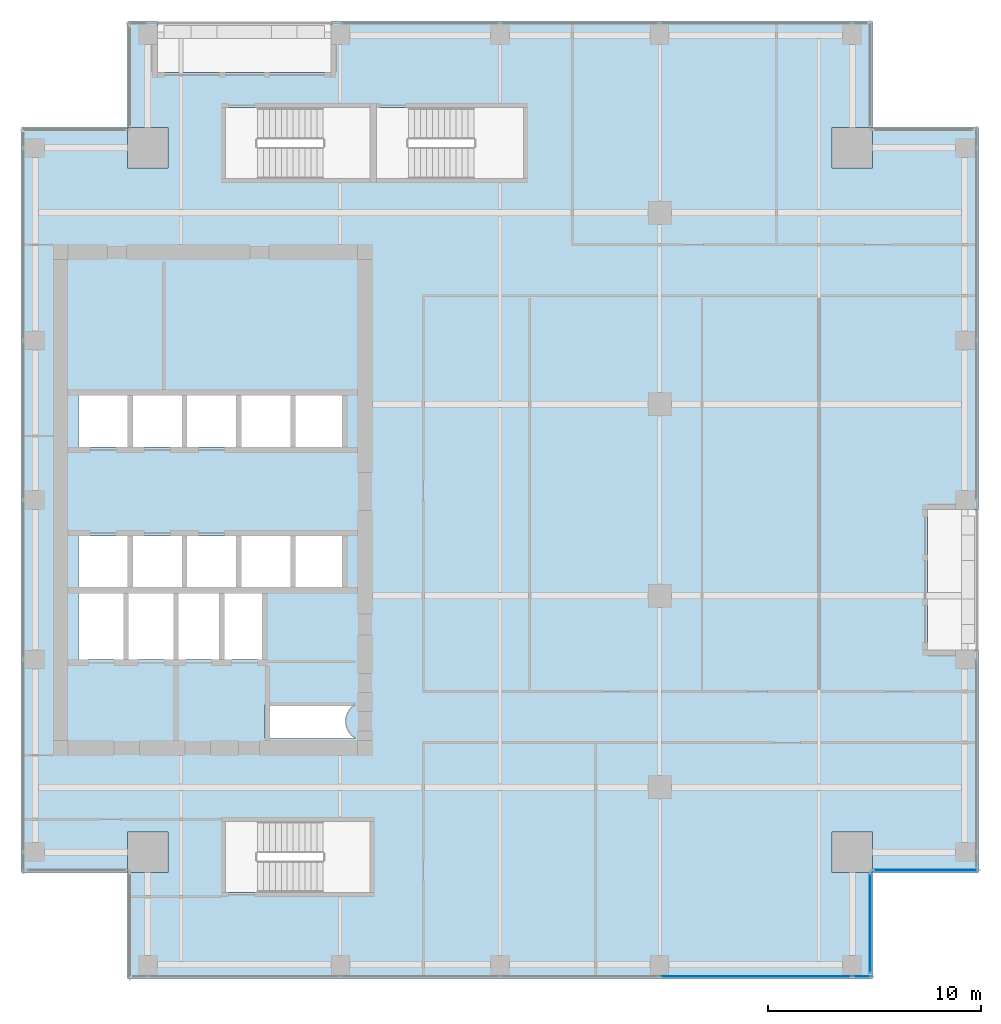
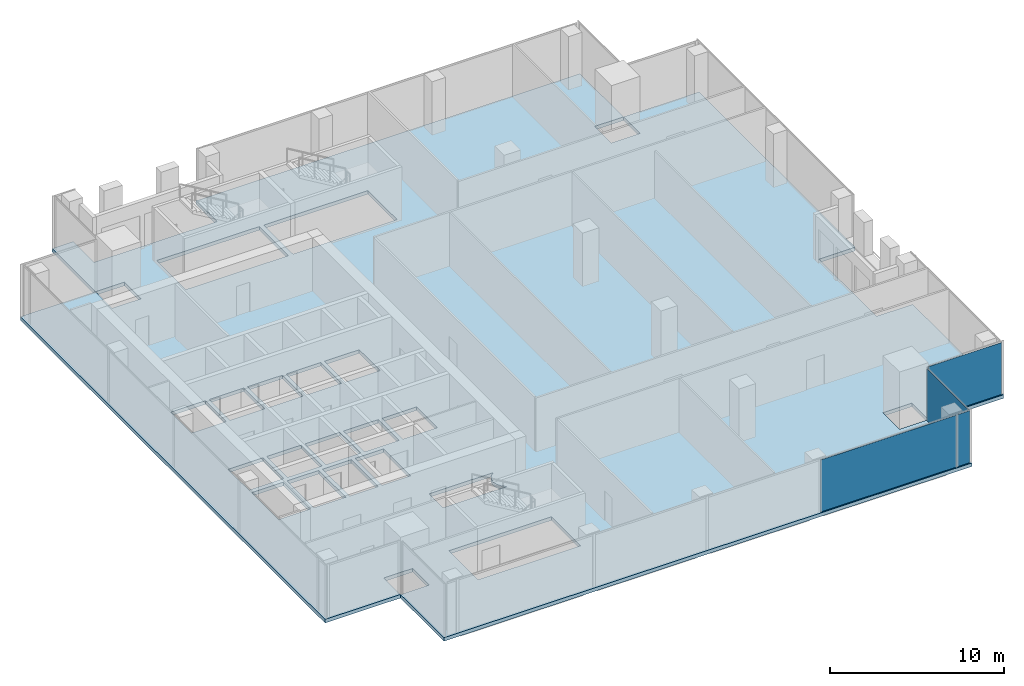
# One storey, part 26 of 35: 4 plates, 1 slab, 3 elements without a shape of their own.
"""IFC4 building model written with IfcOpenShell, lengths in metres."""

from ifc_helpers import new_model, si_unit, direction, frame, origin, origin_2d, place, context, subcontext, project, spatial, polyline, rectangle, outline, extrude, source, transform, mapped, material, layer, layer_set, type_object, element, aggregate, save


model = new_model("IFC4")

# Units and contexts
model_context = context("Model", 3, precision=1e-05, world=origin(), true_north=direction((0.0, 1.0)))
body_context = subcontext(model_context, "Body", "Model", "MODEL_VIEW")
ifc_project = project(units=[si_unit("LENGTHUNIT", "METRE"), si_unit("AREAUNIT", "SQUARE_METRE"), si_unit("VOLUMEUNIT", "CUBIC_METRE"), si_unit("PLANEANGLEUNIT", "RADIAN"), si_unit("MASSUNIT", "GRAM", prefix="KILO")], contexts=[model_context])

# Site, building, storey
site_placement = place(None, origin())
site = spatial("IfcSite", under=ifc_project, at=site_placement, CompositionType="ELEMENT")
building_placement = place(site_placement, origin())
building = spatial("IfcBuilding", under=site, at=building_placement, Name="Khomas Fold Tower", CompositionType="ELEMENT")
storey_placement = place(building_placement, frame((0.0, 0.0, 262.199951171875)))
storey = spatial("IfcBuildingStorey", under=building, at=storey_placement, Name="L59", CompositionType="ELEMENT", Elevation=262.199951171875)

# Slab
ifc_material_1 = material(Name="Concrete C40/50", Category="concrete")
ifc_layer_1 = layer(ifc_material_1, 0.25)
ifc_layer_set_1 = layer_set([ifc_layer_1], Name="Concrete C40/50")
slab_type = type_object("IfcSlabType", Name="RC floor slab 250", PredefinedType="FLOOR", material=ifc_layer_set_1)
shared_shape_1 = source(origin(), body_context, "Body", "SweptSolid", [
    extrude(outline(polyline([(4.5, 9.5), (9.4951171875, 9.5), (9.4951171875, 11.405029296875), (11.405029296875, 11.405029296875), (11.405029296875, 9.4951171875), (9.5, 9.4951171875), (9.5, 4.5), (44.5, 4.5), (44.5, 9.4951171875), (42.594970703125, 9.4951171875), (42.594970703125, 11.405029296875), (44.5048828125, 11.405029296875), (44.5048828125, 9.5), (49.5, 9.5), (49.5, 19.949951171875), (47.10009765625, 19.949951171875), (47.10009765625, 26.550048828125), (49.5, 26.550048828125), (49.5, 44.5), (44.5048828125, 44.5), (44.5048828125, 42.594970703125), (42.594970703125, 42.594970703125), (42.594970703125, 44.5048828125), (44.5, 44.5048828125), (44.5, 49.5), (19.050048828125, 49.5), (19.050048828125, 47.10009765625), (10.89990234375, 47.10009765625), (10.89990234375, 49.5), (9.5, 49.5), (9.5, 44.5048828125), (11.405029296875, 44.5048828125), (11.405029296875, 42.594970703125), (9.4951171875, 42.594970703125), (9.4951171875, 44.5), (4.5, 44.5), (4.5, 9.5)]), holes=[polyline([(7.199951171875, 19.5), (7.199951171875, 22.60009765625), (9.300048828125, 22.60009765625), (9.300048828125, 19.5), (7.199951171875, 19.5)]), polyline([(7.199951171875, 22.89990234375), (7.199951171875, 25.300048828125), (9.5, 25.300048828125), (9.5, 22.89990234375), (7.199951171875, 22.89990234375)]), polyline([(7.199951171875, 29.5), (7.199951171875, 31.89990234375), (9.5, 31.89990234375), (9.5, 29.5), (7.199951171875, 29.5)]), polyline([(9.550048828125, 19.5), (9.550048828125, 22.60009765625), (11.64990234375, 22.60009765625), (11.64990234375, 19.5), (9.550048828125, 19.5)]), polyline([(9.75, 22.89990234375), (9.75, 25.300048828125), (12.050048828125, 25.300048828125), (12.050048828125, 22.89990234375), (9.75, 22.89990234375)]), polyline([(9.75, 29.5), (9.75, 31.89990234375), (12.050048828125, 31.89990234375), (12.050048828125, 29.5), (9.75, 29.5)]), polyline([(11.89990234375, 19.5), (11.89990234375, 22.60009765625), (13.800048828125, 22.60009765625), (13.800048828125, 19.5), (11.89990234375, 19.5)]), polyline([(12.300048828125, 22.89990234375), (12.300048828125, 25.300048828125), (14.60009765625, 25.300048828125), (14.60009765625, 22.89990234375), (12.300048828125, 22.89990234375)]), polyline([(12.300048828125, 29.5), (12.300048828125, 31.89990234375), (14.60009765625, 31.89990234375), (14.60009765625, 29.5), (12.300048828125, 29.5)]), polyline([(14.050048828125, 19.5), (14.050048828125, 22.60009765625), (15.949951171875, 22.60009765625), (15.949951171875, 19.5), (14.050048828125, 19.5)]), polyline([(14.10009765625, 8.550048828125), (14.10009765625, 11.89990234375), (20.89990234375, 11.89990234375), (20.89990234375, 8.550048828125), (14.10009765625, 8.550048828125)]), polyline([(14.10009765625, 42.10009765625), (14.10009765625, 45.449951171875), (20.89990234375, 45.449951171875), (20.89990234375, 42.10009765625), (14.10009765625, 42.10009765625)]), polyline([(14.85009765625, 22.89990234375), (14.85009765625, 25.300048828125), (17.14990234375, 25.300048828125), (17.14990234375, 22.89990234375), (14.85009765625, 22.89990234375)]), polyline([(14.85009765625, 29.5), (14.85009765625, 31.89990234375), (17.14990234375, 31.89990234375), (17.14990234375, 29.5), (14.85009765625, 29.5)]), polyline([(15.949951171875, 15.800048828125), (15.949951171875, 17.39990234375), (20.199951171875, 17.39990234375), (20.199951171875, 17.37841796875), (20.14990234375, 17.348388671875), (20.0791015625, 17.295654296875), (20.013671875, 17.236328125), (19.954345703125, 17.1708984375), (19.901611328125, 17.10009765625), (19.856201171875, 17.0244140625), (19.818603515625, 16.9443359375), (19.788818359375, 16.861328125), (19.767333984375, 16.775634765625), (19.75439453125, 16.688232421875), (19.75, 16.60009765625), (19.75439453125, 16.51171875), (19.767333984375, 16.42431640625), (19.788818359375, 16.338623046875), (19.818603515625, 16.255615234375), (19.856201171875, 16.17578125), (19.901611328125, 16.10009765625), (19.954345703125, 16.029052734375), (20.013671875, 15.963623046875), (20.0791015625, 15.904296875), (20.14990234375, 15.851806640625), (20.199951171875, 15.82177734375), (20.199951171875, 15.800048828125), (15.949951171875, 15.800048828125)]), polyline([(17.39990234375, 22.89990234375), (17.39990234375, 25.300048828125), (19.699951171875, 25.300048828125), (19.699951171875, 22.89990234375), (17.39990234375, 22.89990234375)]), polyline([(17.39990234375, 29.5), (17.39990234375, 31.89990234375), (19.699951171875, 31.89990234375), (19.699951171875, 29.5), (17.39990234375, 29.5)]), polyline([(21.199951171875, 42.10009765625), (21.199951171875, 45.449951171875), (28.10009765625, 45.449951171875), (28.10009765625, 42.10009765625), (21.199951171875, 42.10009765625)])]), origin(), (0.0, 0.0, 1.0), 0.25),
])
slab_placement = place(storey_placement, frame((0.0, 0.0, -0.25)))
element("IfcSlab", 1, at=slab_placement, inside=storey, type_object=slab_type, Name="S-L59", PredefinedType="FLOOR", context=body_context, shape_type="MappedRepresentation", body=[
    mapped(shared_shape_1, transform((0.0, 0.0, 0.0))),
])

# Curtain wall, plates
ifc_material_2 = material(Name="Aluminium framed double glazing", Category="aluminium")
curtain_wall_type = type_object("IfcCurtainWallType", Name="SK-Unitised clear-glass wall, office floors CW2", PredefinedType="NOTDEFINED", material=ifc_material_2)
curtain_wall_1_placement = place(storey_placement, origin())
curtain_wall_1 = element("IfcCurtainWall", 2, at=curtain_wall_1_placement, inside=storey, type_object=curtain_wall_type, Name="CW2 run L59 00-0", PredefinedType="NOTDEFINED")
ifc_material_3 = material(Name="Clear double glazed unit")
ifc_layer_2 = layer(ifc_material_3, 0.030029296875)
ifc_layer_set_2 = layer_set([ifc_layer_2], Name="Clear double glazed unit")
plate_type = type_object("IfcPlateType", Name="SK-Unitised clear-glass wall, office floors glass panel CW2-P", PredefinedType="CURTAIN_PANEL", material=ifc_layer_set_2)
shared_shape_2 = source(origin(), body_context, "Body", "SweptSolid", [
    extrude(rectangle(XDim=0.860107421875, YDim=0.030029296875, at=origin_2d()), origin(), (0.0, 0.0, 1.0), 3.639892578125),
])
plate_1_placement = place(storey_placement, frame((44.010009765625, 4.60009765625, 0.0), z_axis=(0.0, 0.0, 1.0), x_axis=(1.0, 0.0, 0.0)))
plate_1 = element("IfcPlate", 3, at=plate_1_placement, type_object=plate_type, Name="CW2 glass panel 6", PredefinedType="CURTAIN_PANEL", context=body_context, shape_type="MappedRepresentation", body=[
    mapped(shared_shape_2, transform((0.0, 0.0, 0.0))),
])
shared_shape_3 = source(origin(), body_context, "Body", "SweptSolid", [
    extrude(rectangle(XDim=8.989990234375, YDim=0.030029296875, at=origin_2d()), origin(), (0.0, 0.0, 1.0), 3.639892578125),
])
plate_2_placement = place(storey_placement, frame((39.02490234375, 4.60009765625, 0.0), z_axis=(0.0, 0.0, 1.0), x_axis=(1.0, 0.0, 0.0)))
plate_2 = element("IfcPlate", 4, at=plate_2_placement, type_object=plate_type, Name="CW2 glass panel 5", PredefinedType="CURTAIN_PANEL", context=body_context, shape_type="MappedRepresentation", body=[
    mapped(shared_shape_3, transform((0.0, 0.0, 0.0))),
])
aggregate(curtain_wall_1, [plate_2, plate_1])

# Curtain wall, plate
curtain_wall_2_placement = place(storey_placement, origin())
curtain_wall_2 = element("IfcCurtainWall", 5, at=curtain_wall_2_placement, inside=storey, type_object=curtain_wall_type, Name="CW2 corner return L59 01", PredefinedType="NOTDEFINED")
shared_shape_4 = source(origin(), body_context, "Body", "SweptSolid", [
    extrude(rectangle(XDim=4.679931640625, YDim=0.030029296875, at=origin_2d()), origin(), (0.0, 0.0, 1.0), 3.639892578125),
])
plate_3_placement = place(storey_placement, frame((44.39990234375, 7.10009765625, 0.0), z_axis=(0.0, 0.0, 1.0), x_axis=(0.0, 1.0, 0.0)))
plate_3 = element("IfcPlate", 6, at=plate_3_placement, type_object=plate_type, Name="CW2 glass panel 1", PredefinedType="CURTAIN_PANEL", context=body_context, shape_type="MappedRepresentation", body=[
    mapped(shared_shape_4, transform((0.0, 0.0, 0.0))),
])
aggregate(curtain_wall_2, [plate_3])

curtain_wall_3_placement = place(storey_placement, origin())
curtain_wall_3 = element("IfcCurtainWall", 7, at=curtain_wall_3_placement, inside=storey, type_object=curtain_wall_type, Name="CW2 corner return L59 02", PredefinedType="NOTDEFINED")
shared_shape_5 = source(origin(), body_context, "Body", "SweptSolid", [
    extrude(rectangle(XDim=4.8798828125, YDim=0.030029296875, at=origin_2d()), origin(), (0.0, 0.0, 1.0), 3.639892578125),
])
plate_4_placement = place(storey_placement, frame((47.0, 9.60009765625, 0.0), z_axis=(0.0, 0.0, 1.0), x_axis=(1.0, 0.0, 0.0)))
plate_4 = element("IfcPlate", 8, at=plate_4_placement, type_object=plate_type, Name="CW2 glass panel 1", PredefinedType="CURTAIN_PANEL", context=body_context, shape_type="MappedRepresentation", body=[
    mapped(shared_shape_5, transform((0.0, 0.0, 0.0))),
])
aggregate(curtain_wall_3, [plate_4])

save(model, "model.ifc")
